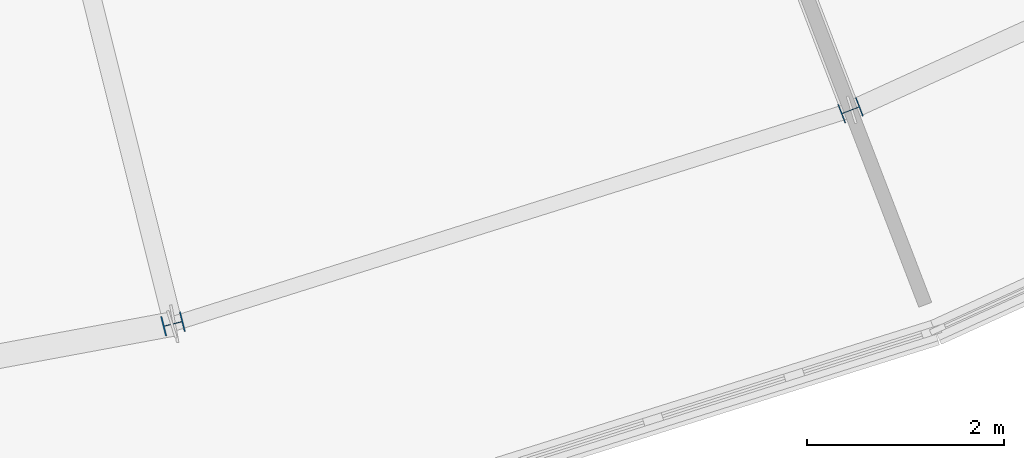
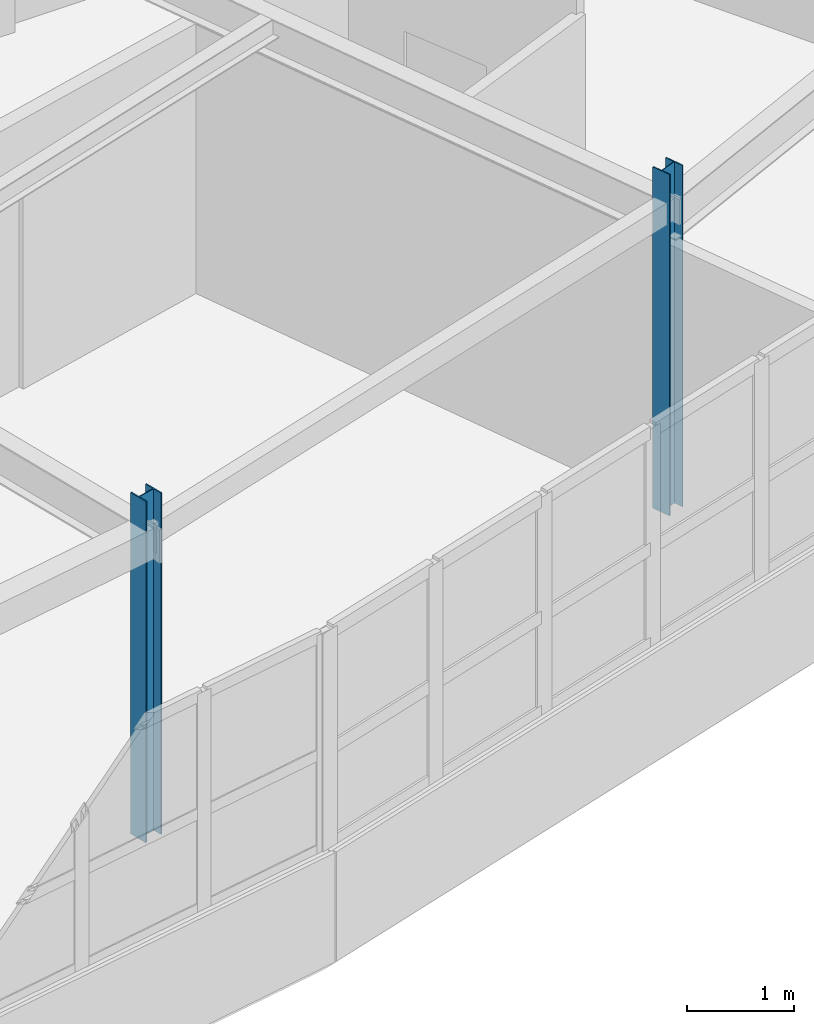
# One storey, part 4 of 79: 2 columns.
"""IFC4 building model written with IfcOpenShell, lengths in metres."""

from ifc_helpers import new_model, si_unit, direction, frame, origin, origin_2d, place, context, subcontext, project, spatial, i_section, extrude, material, material_profile, profile_set, type_object, element, save


model = new_model("IFC4")

# Units and contexts
model_context = context("Model", 3, precision=1e-05, world=origin(), true_north=direction((0.0, 1.0)))
body_context = subcontext(model_context, "Body", "Model", "MODEL_VIEW")
ifc_project = project(units=[si_unit("LENGTHUNIT", "METRE"), si_unit("AREAUNIT", "SQUARE_METRE"), si_unit("VOLUMEUNIT", "CUBIC_METRE"), si_unit("PLANEANGLEUNIT", "RADIAN"), si_unit("MASSUNIT", "GRAM", prefix="KILO")], contexts=[model_context])

# Site, building, storey
site_placement = place(None, origin())
site = spatial("IfcSite", under=ifc_project, at=site_placement, CompositionType="ELEMENT")
building_placement = place(site_placement, origin())
building = spatial("IfcBuilding", under=site, at=building_placement, Name="Tarnwether General Hospital", CompositionType="ELEMENT")
storey_placement = place(building_placement, frame((0.0, 0.0, 18.300048828125)))
storey = spatial("IfcBuildingStorey", under=building, at=storey_placement, Name="L04", CompositionType="ELEMENT", Elevation=18.300048828125)

# Columns
ifc_material_1 = material(Name="Steel Grade 350 (350 MPa)", Category="steel")
ifc_material_profile_1 = material_profile(ifc_material_1, i_section(OverallWidth=0.205078125, OverallDepth=0.2099609375, WebThickness=0.00927734375, FlangeThickness=0.01416015625, at=origin_2d()), Name="200UC59.5")
ifc_profile_set_1 = profile_set([ifc_material_profile_1], Name="Steel Grade 350 (350 MPa)")
column_type_1 = type_object("IfcColumnType", Name="COL-25", PredefinedType="COLUMN", material=ifc_profile_set_1)
column_1_placement = place(storey_placement, frame((106.322021484375, 5.55810546875, 0.0), z_axis=(0.0, 0.0, 1.0), x_axis=(-0.2419218956, 0.970295726276, 0.0)))
element("IfcColumn", 1, at=column_1_placement, inside=storey, type_object=column_type_1, Name="Column COLG-L04-10632_556", PredefinedType="COLUMN", context=body_context, shape_type="SweptSolid", body=[
    extrude(i_section(OverallWidth=0.205078125, OverallDepth=0.2099609375, WebThickness=0.00927734375, FlangeThickness=0.01416015625, at=origin_2d()), origin(), (0.0, 0.0, 1.0), 3.89990234375),
])
ifc_material_2 = material(Name="Steel Grade 350 (350 MPa)", Category="steel")
ifc_material_profile_2 = material_profile(ifc_material_2, i_section(OverallWidth=0.202880859375, OverallDepth=0.202880859375, WebThickness=0.00732421875, FlangeThickness=0.010986328125, at=origin_2d()), Name="200UC46.2")
ifc_profile_set_2 = profile_set([ifc_material_profile_2], Name="Steel Grade 350 (350 MPa)")
column_type_2 = type_object("IfcColumnType", Name="COL-27", PredefinedType="COLUMN", material=ifc_profile_set_2)
column_2_placement = place(storey_placement, frame((113.215087890625, 7.73193359375, 0.0), z_axis=(0.0, 0.0, 1.0), x_axis=(-0.358367949545, 0.933580426497, 0.0)))
element("IfcColumn", 2, at=column_2_placement, inside=storey, type_object=column_type_2, Name="Column COLG-L04-11322_773", PredefinedType="COLUMN", context=body_context, shape_type="SweptSolid", body=[
    extrude(i_section(OverallWidth=0.202880859375, OverallDepth=0.202880859375, WebThickness=0.00732421875, FlangeThickness=0.010986328125, at=origin_2d()), origin(), (0.0, 0.0, 1.0), 3.89990234375),
])

save(model, "model.ifc")
